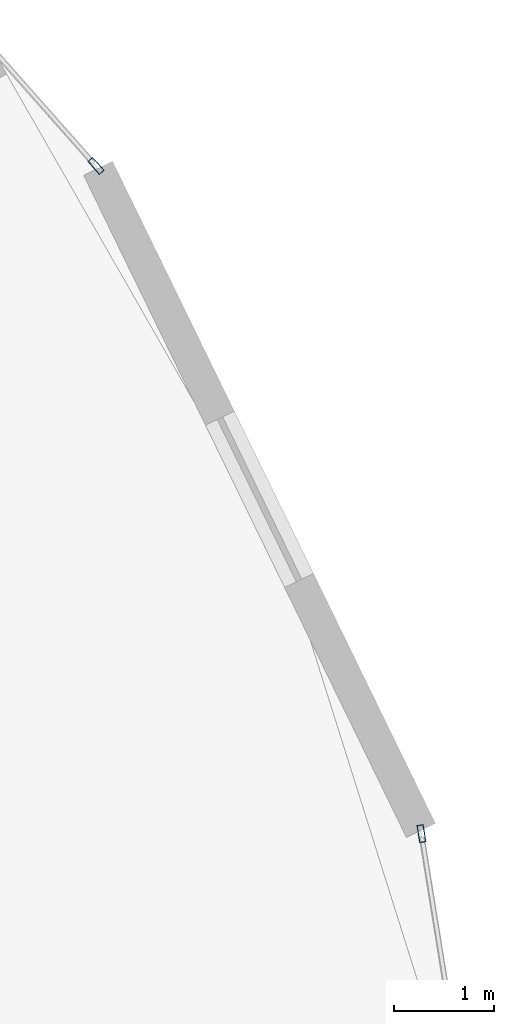
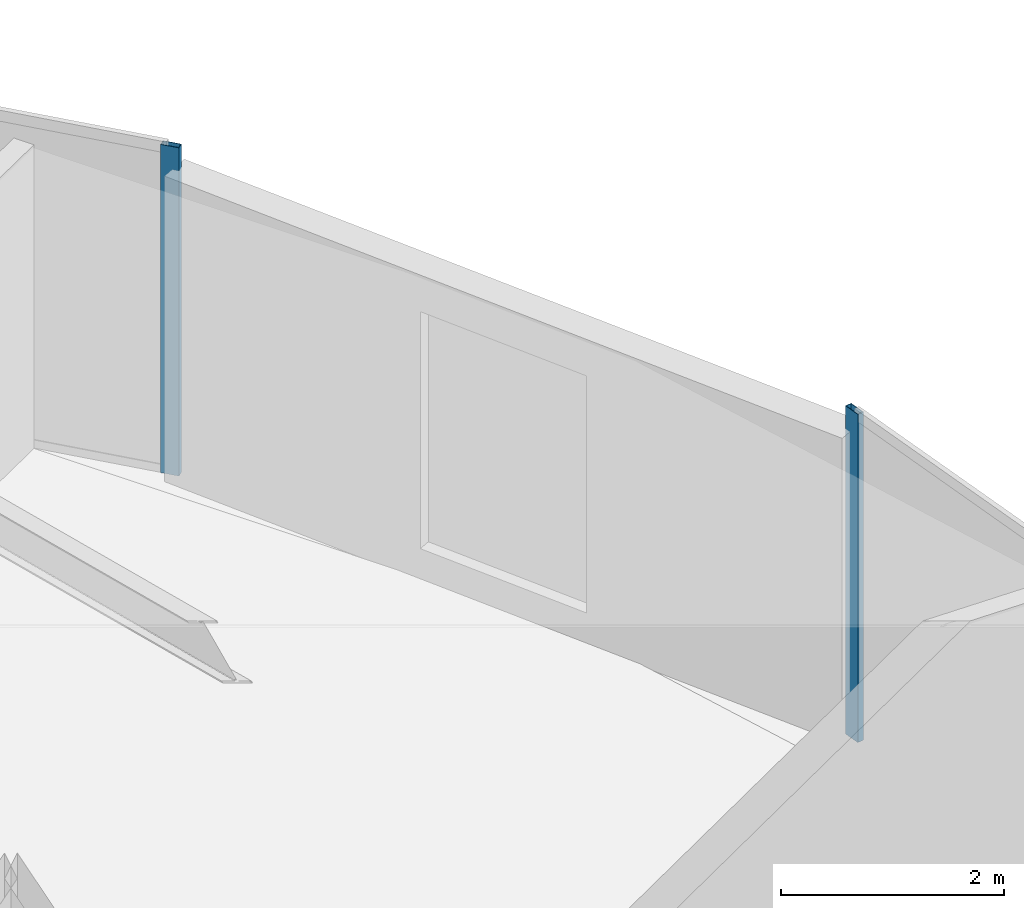
# One storey, part 10 of 20: 2 members, 2 elements without a shape of their own.
"""IFC4 building model written with IfcOpenShell, lengths in metres."""

from ifc_helpers import new_model, si_unit, direction, frame, origin, origin_2d, place, context, subcontext, project, spatial, hollow_rectangle, extrude, source, transform, mapped, material, layer, layer_set, material_profile, profile_set, type_object, element, aggregate, save


model = new_model("IFC4")

# Units and contexts
model_context = context("Model", 3, precision=1e-05, world=origin(), true_north=direction((0.0, 1.0)))
body_context = subcontext(model_context, "Body", "Model", "MODEL_VIEW")
ifc_project = project(units=[si_unit("LENGTHUNIT", "METRE"), si_unit("AREAUNIT", "SQUARE_METRE"), si_unit("VOLUMEUNIT", "CUBIC_METRE"), si_unit("PLANEANGLEUNIT", "RADIAN"), si_unit("MASSUNIT", "GRAM", prefix="KILO")], contexts=[model_context])

# Site, building, storey
site_placement = place(None, origin())
site = spatial("IfcSite", under=ifc_project, at=site_placement, CompositionType="ELEMENT")
building_placement = place(site_placement, origin())
building = spatial("IfcBuilding", under=site, at=building_placement, Name="Solvirekh Grand Hotel", CompositionType="ELEMENT")
storey_placement = place(building_placement, frame((0.0, 0.0, 135.0)))
storey = spatial("IfcBuildingStorey", under=building, at=storey_placement, Name="L34", CompositionType="ELEMENT", Elevation=135.0)

# Curtain wall, member
ifc_material = material(Name="Anodized Bronze Aluminium 6063-T6", Category="aluminium")
ifc_layer = layer(ifc_material, 0.175048828125)
ifc_layer_set = layer_set([ifc_layer], Name="Anodized Bronze Aluminium 6063-T6")
curtain_wall_type = type_object("IfcCurtainWallType", Name="CW_Sys3_MidZoneFlushBronzeCW", PredefinedType="NOTDEFINED", material=ifc_layer_set)
curtain_wall_1_placement = place(storey_placement, origin())
curtain_wall_1 = element("IfcCurtainWall", 1, at=curtain_wall_1_placement, inside=storey, type_object=curtain_wall_type, Name="L34 unitised bronze-glass curtain wall CW-L34-C03", PredefinedType="NOTDEFINED")
ifc_material_profile = material_profile(ifc_material, hollow_rectangle(XDim=0.06494140625, YDim=0.175048828125, WallThickness=0.0048828125, at=origin_2d()), Name="ALU RHS 175X65X5")
ifc_profile_set = profile_set([ifc_material_profile], Name="Anodized Bronze Aluminium 6063-T6")
member_type = type_object("IfcMemberType", Name="CWMullion_Sys3", PredefinedType="MULLION", material=ifc_profile_set)
shared_shape = source(origin(), body_context, "Body", "SweptSolid", [
    extrude(hollow_rectangle(XDim=0.06494140625, YDim=0.175048828125, WallThickness=0.0048828125, at=origin_2d()), origin(), (0.0, 0.0, 1.0), 3.60009765625),
])
member_1_placement = place(storey_placement, frame((22.658203125, 2.995849609375, 0.0), z_axis=(0.0, 0.0, 1.0), x_axis=(-0.987193918935, -0.159524814429, 0.0)))
member_1 = element("IfcMember", 2, at=member_1_placement, type_object=member_type, Name="U03 mullion 3", PredefinedType="MULLION", context=body_context, shape_type="MappedRepresentation", body=[
    mapped(shared_shape, transform((0.0, 0.0, 0.0), x_axis=(1.0, 0.0, 0.0), y_axis=(0.0, 1.0, 0.0), z_axis=(0.0, 0.0, 1.0), scale=1.0)),
])
aggregate(curtain_wall_1, [member_1])

curtain_wall_2_placement = place(storey_placement, origin())
curtain_wall_2 = element("IfcCurtainWall", 3, at=curtain_wall_2_placement, inside=storey, type_object=curtain_wall_type, Name="L34 unitised bronze-glass curtain wall CW-L34-C05", PredefinedType="NOTDEFINED")
member_2_placement = place(storey_placement, frame((19.412353515625, 9.6552734375, 0.0), z_axis=(0.0, 0.0, 1.0), x_axis=(-0.748918278537, -0.662662366574, 0.0)))
member_2 = element("IfcMember", 4, at=member_2_placement, type_object=member_type, Name="U03 mullion 1", PredefinedType="MULLION", context=body_context, shape_type="MappedRepresentation", body=[
    mapped(shared_shape, transform((0.0, 0.0, 0.0), x_axis=(1.0, 0.0, 0.0), y_axis=(0.0, 1.0, 0.0), z_axis=(0.0, 0.0, 1.0), scale=1.0)),
])
aggregate(curtain_wall_2, [member_2])

save(model, "model.ifc")
